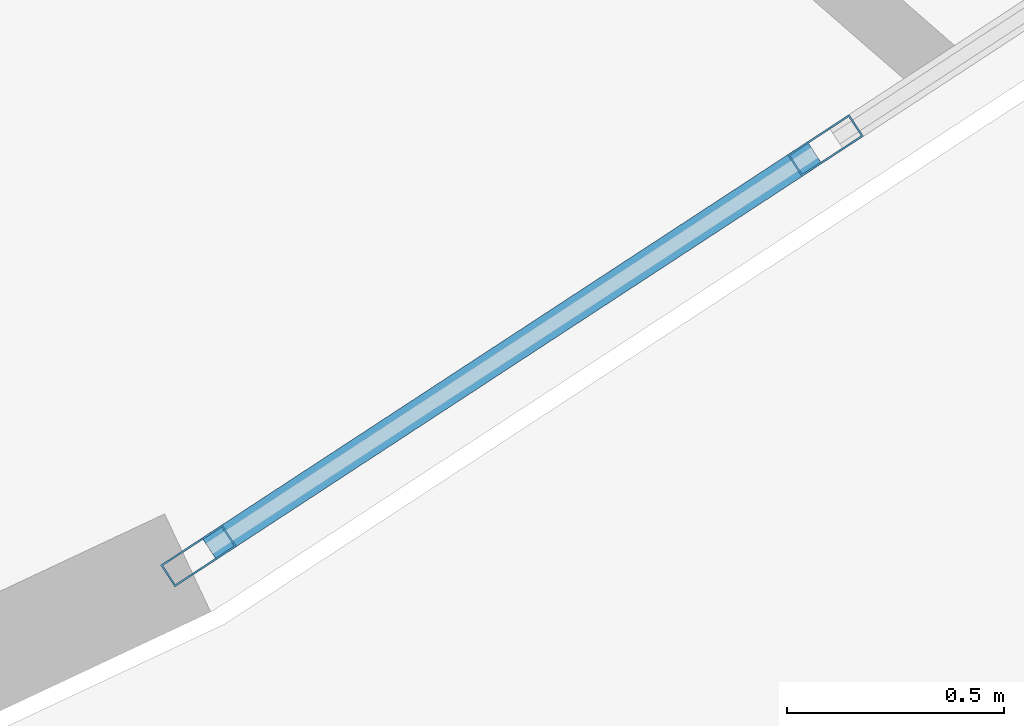
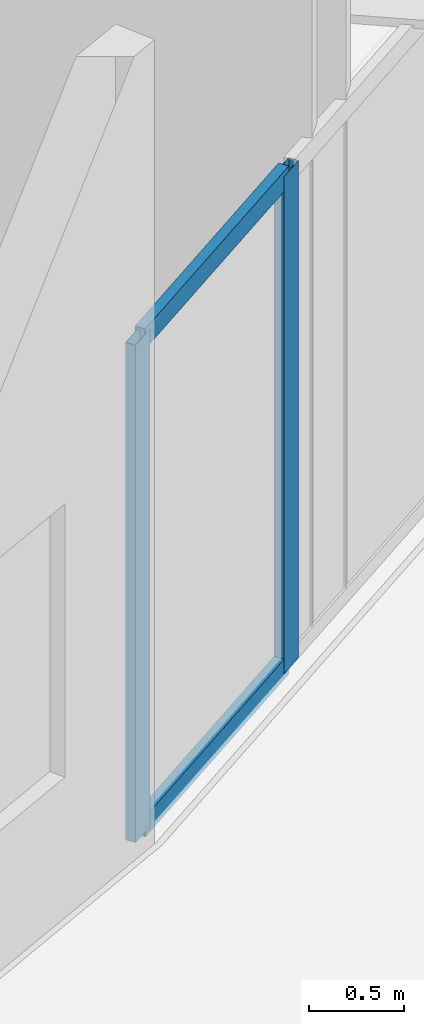
# One storey, part 6 of 39: 4 members, 1 element without a shape of its own.
"""IFC4 building model written with IfcOpenShell, lengths in metres."""

from ifc_helpers import new_model, si_unit, direction, frame, origin, origin_2d, place, context, subcontext, project, spatial, hollow_rectangle, extrude, source, transform, mapped, material, layer, layer_set, material_profile, profile_set, type_object, element, aggregate, save


model = new_model("IFC4")

# Units and contexts
model_context = context("Model", 3, precision=1e-05, world=origin(), true_north=direction((0.0, 1.0)))
body_context = subcontext(model_context, "Body", "Model", "MODEL_VIEW")
ifc_project = project(units=[si_unit("LENGTHUNIT", "METRE"), si_unit("AREAUNIT", "SQUARE_METRE"), si_unit("VOLUMEUNIT", "CUBIC_METRE"), si_unit("PLANEANGLEUNIT", "RADIAN"), si_unit("MASSUNIT", "GRAM", prefix="KILO")], contexts=[model_context])

# Site, building, storey
site_placement = place(None, origin())
site = spatial("IfcSite", under=ifc_project, at=site_placement, CompositionType="ELEMENT")
building_placement = place(site_placement, origin())
building = spatial("IfcBuilding", under=site, at=building_placement, Name="Linh Dai School and Residence Tower", CompositionType="ELEMENT")
storey_placement = place(building_placement, frame((0.0, 0.0, 27.0)))
storey = spatial("IfcBuildingStorey", under=building, at=storey_placement, Name="L06", CompositionType="ELEMENT", Elevation=27.0)

# Curtain wall, members
ifc_material_1 = material(Name="Aluminium Anodised Curtain Wall", Category="aluminium")
ifc_layer = layer(ifc_material_1, 0.169921875)
ifc_layer_set = layer_set([ifc_layer], Name="Aluminium Anodised Curtain Wall")
curtain_wall_type = type_object("IfcCurtainWallType", Name="CW-SYS-2", PredefinedType="USERDEFINED", material=ifc_layer_set)
curtain_wall_placement = place(storey_placement, origin())
curtain_wall = element("IfcCurtainWall", 1, at=curtain_wall_placement, inside=storey, type_object=curtain_wall_type, Name="L06 CW2 Curtain Wall 35", ObjectType="UNITISED CURTAIN WALL", PredefinedType="USERDEFINED")
ifc_material_2 = material(Name="Aluminium Alloy 6063-T6", Category="aluminium")
ifc_material_profile_1 = material_profile(ifc_material_2, hollow_rectangle(XDim=0.06005859375, YDim=0.169921875, WallThickness=0.00390625, at=origin_2d()), Name="RHS 170x60x4")
ifc_profile_set_1 = profile_set([ifc_material_profile_1], Name="Aluminium Alloy 6063-T6")
member_type_1 = type_object("IfcMemberType", Name="CW-SYS-2-MUL", PredefinedType="MULLION", material=ifc_profile_set_1)
shared_shape_1 = source(origin(), body_context, "Body", "SweptSolid", [
    extrude(hollow_rectangle(XDim=0.06005859375, YDim=0.169921875, WallThickness=0.00390625, at=origin_2d()), origin(), (0.0, 0.0, 1.0), 3.18505859375),
])
member_1_placement = place(storey_placement, frame((51.98828125, 12.701171875, 0.0), z_axis=(0.0, 0.0, 1.0), x_axis=(0.547530007395, -0.836786048523, 0.0)))
member_1 = element("IfcMember", 2, at=member_1_placement, type_object=member_type_1, Name="CW2 mullion 2", PredefinedType="MULLION", context=body_context, shape_type="MappedRepresentation", body=[
    mapped(shared_shape_1, transform((0.0, 0.0, 0.0), x_axis=(1.0, 0.0, 0.0), y_axis=(0.0, 1.0, 0.0), z_axis=(0.0, 0.0, 1.0), scale=1.0)),
])
member_2_placement = place(storey_placement, frame((50.54150390625, 11.75439453125, 0.0), z_axis=(0.0, 0.0, 1.0), x_axis=(0.547530007395, -0.836786048523, 0.0)))
member_2 = element("IfcMember", 3, at=member_2_placement, type_object=member_type_1, Name="CW2 mullion 3", PredefinedType="MULLION", context=body_context, shape_type="MappedRepresentation", body=[
    mapped(shared_shape_1, transform((0.0, 0.0, 0.0), x_axis=(1.0, 0.0, 0.0), y_axis=(0.0, 1.0, 0.0), z_axis=(0.0, 0.0, 1.0), scale=1.0)),
])
ifc_material_profile_2 = material_profile(ifc_material_2, hollow_rectangle(XDim=0.06005859375, YDim=0.1298828125, WallThickness=0.00390625, at=origin_2d()), Name="RHS 130x60x4")
ifc_profile_set_2 = profile_set([ifc_material_profile_2], Name="Aluminium Alloy 6063-T6")
member_type_2 = type_object("IfcMemberType", Name="CW-SYS-2-TRN", PredefinedType="USERDEFINED", material=ifc_profile_set_2)
shared_shape_2 = source(origin(), body_context, "Body", "SweptSolid", [
    extrude(hollow_rectangle(XDim=0.06005859375, YDim=0.1298828125, WallThickness=0.00390625, at=origin_2d()), origin(), (0.0, 0.0, 1.0), 1.669189453125),
])
member_3_placement = place(storey_placement, frame((51.963134765625, 12.6845703125, 0.030029296875), z_axis=(-0.836812395716, -0.54748973906, 0.0), x_axis=(0.54748973906, -0.836812395716, 0.0)))
member_3 = element("IfcMember", 4, at=member_3_placement, type_object=member_type_2, Name="CW2 transom 2.1", ObjectType="TRANSOM", PredefinedType="USERDEFINED", context=body_context, shape_type="MappedRepresentation", body=[
    mapped(shared_shape_2, transform((0.0, 0.0, 0.0), x_axis=(1.0, 0.0, 0.0), y_axis=(0.0, 1.0, 0.0), z_axis=(0.0, 0.0, 1.0), scale=1.0)),
])
member_4_placement = place(storey_placement, frame((51.963134765625, 12.6845703125, 3.155029296875), z_axis=(-0.836812395716, -0.54748973906, 0.0), x_axis=(0.54748973906, -0.836812395716, 0.0)))
member_4 = element("IfcMember", 5, at=member_4_placement, type_object=member_type_2, Name="CW2 transom 2.2", ObjectType="TRANSOM", PredefinedType="USERDEFINED", context=body_context, shape_type="MappedRepresentation", body=[
    mapped(shared_shape_2, transform((0.0, 0.0, 0.0), x_axis=(1.0, 0.0, 0.0), y_axis=(0.0, 1.0, 0.0), z_axis=(0.0, 0.0, 1.0), scale=1.0)),
])
aggregate(curtain_wall, [member_1, member_2, member_3, member_4])

save(model, "model.ifc")
